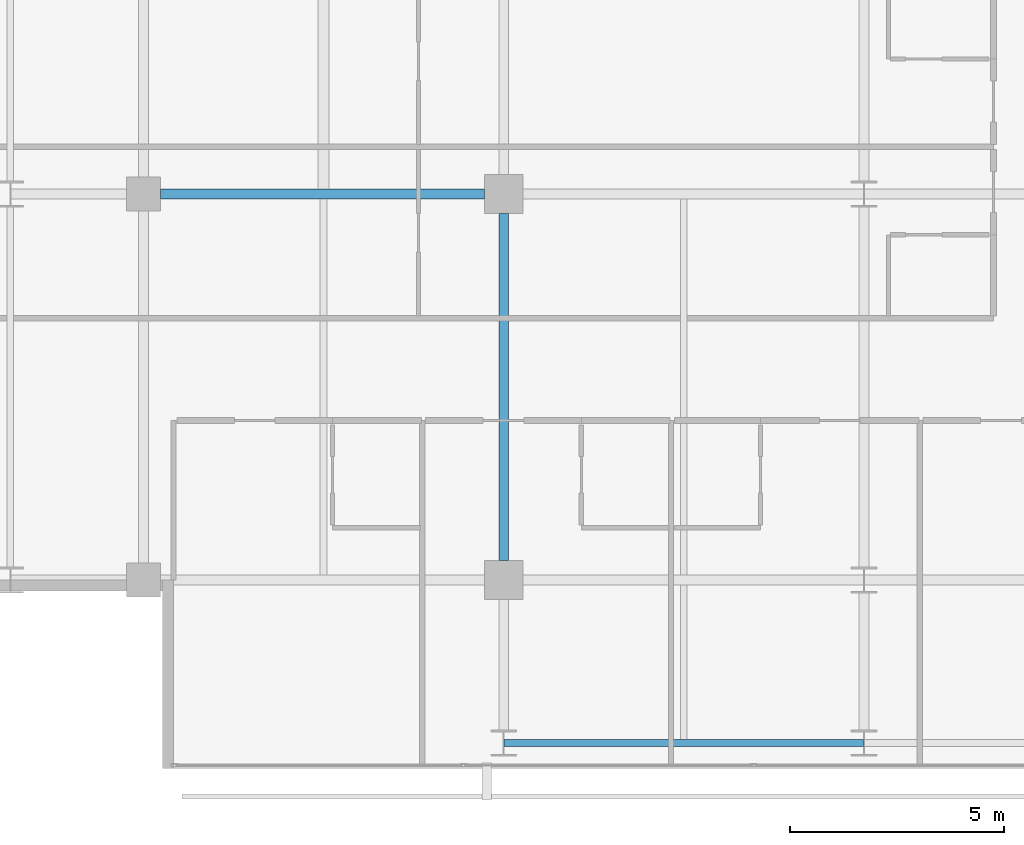
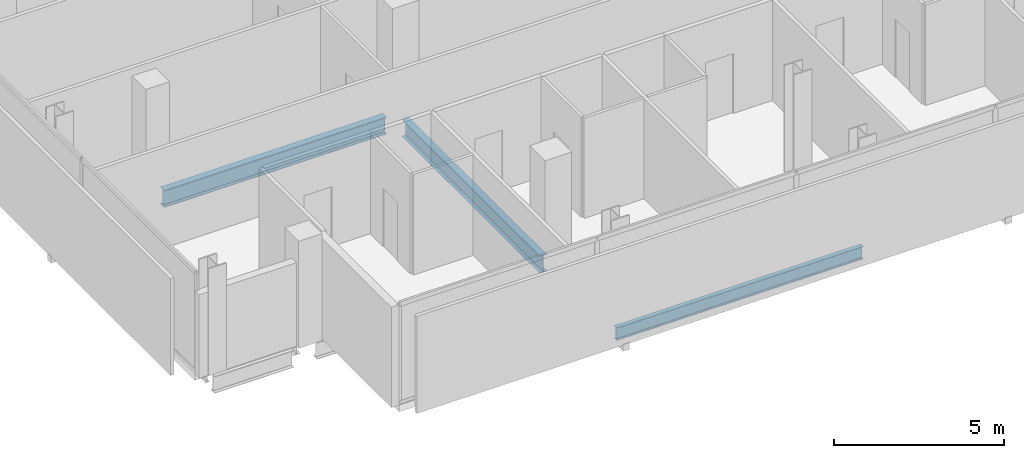
# One storey, part 5 of 34: 3 beams.
"""IFC4 building model written with IfcOpenShell, lengths in metres."""

import ifcopenshell
import ifcopenshell.guid

model = None  # the IFC model being written
_history = None  # IfcOwnerHistory: only IFC2X3 demands one
_inside = {}  # id of a spatial element -> (the spatial element, [elements in it])
_under = {}  # id of a project, library or spatial element -> (it, [spatial elements below it])
_declared = {}  # id of a project -> (the project, [libraries it declares])
_typed = {}  # id of a type object -> (the type object, [elements of that type])
_made_of = {}  # id of a material, layer set ... -> (it, [elements and type objects made of it])


def new_model(schema):
    """Start an empty IFC model of exactly this schema.

    Asked for "IFC4X3", IfcOpenShell would pick the latest addendum, in which some entities
    have other attributes; the version numbers below select the first issue.
    IFC2X3 requires an IfcOwnerHistory on every rooted entity: one is made here for all.
    """
    global model, _history
    if schema == "IFC4X3":
        model = ifcopenshell.file(schema_version=(4, 3, 0, 0))
    else:
        model = ifcopenshell.file(schema=schema)
    _inside.clear()
    _under.clear()
    _declared.clear()
    _typed.clear()
    _made_of.clear()
    _history = None
    if model.schema == "IFC2X3":
        org = make("IfcOrganization", Name="unknown")
        user = make(
            "IfcPersonAndOrganization",
            ThePerson=make("IfcPerson", FamilyName="unknown"),
            TheOrganization=org,
        )
        app = make(
            "IfcApplication",
            ApplicationDeveloper=org,
            Version="unknown",
            ApplicationFullName="unknown",
            ApplicationIdentifier="unknown",
        )
        _history = make(
            "IfcOwnerHistory",
            OwningUser=user,
            OwningApplication=app,
            ChangeAction="ADDED",
            CreationDate=0,
        )
    return model


def make(cls, **values):
    """One entity of the class cls with the attributes given. An attribute that is None is left unset."""
    return model.create_entity(
        cls, **{name: value for name, value in values.items() if value is not None}
    )


def rooted(cls, **values):
    """An entity with a GlobalId (a new one), such as an element, a storey or a relation."""
    return make(cls, GlobalId=ifcopenshell.guid.new(), OwnerHistory=_history, **values)


def si_unit(unit_type, name, prefix=None):
    """IfcSIUnit, for example si_unit("LENGTHUNIT", "METRE", prefix="MILLI")."""
    return make("IfcSIUnit", UnitType=unit_type, Prefix=prefix, Name=name)


def assignment(units):
    """IfcUnitAssignment: the units of a project."""
    return None if units is None else make("IfcUnitAssignment", Units=units)


def point(xyz):
    """IfcCartesianPoint."""
    return None if xyz is None else make("IfcCartesianPoint", Coordinates=xyz)


def direction(xyz):
    """IfcDirection."""
    return None if xyz is None else make("IfcDirection", DirectionRatios=xyz)


def frame(location, z_axis=None, x_axis=None):
    """IfcAxis2Placement3D, a coordinate frame: its origin and axes. An axis left out is left unset."""
    return make(
        "IfcAxis2Placement3D",
        Location=point(location),
        Axis=direction(z_axis),
        RefDirection=direction(x_axis),
    )


def frame_2d(location, x_axis=None):
    """IfcAxis2Placement2D, a coordinate frame in the plane: its origin and x axis."""
    return make(
        "IfcAxis2Placement2D", Location=point(location), RefDirection=direction(x_axis)
    )


def origin():
    """The frame at (0, 0, 0) with its axes left unset."""
    return frame((0.0, 0.0, 0.0))


def origin_2d():
    """The frame at (0, 0) in the plane with its x axis left unset."""
    return frame_2d((0.0, 0.0))


def place(relative_to, where):
    """IfcLocalPlacement: puts the frame where relative to a parent placement (None: the world)."""
    return make(
        "IfcLocalPlacement", PlacementRelTo=relative_to, RelativePlacement=where
    )


def context(
    kind, dimensions, precision=None, world=None, true_north=None, identifier=None
):
    """IfcGeometricRepresentationContext, for example the 3D "Model" context."""
    return make(
        "IfcGeometricRepresentationContext",
        ContextIdentifier=identifier,
        ContextType=kind,
        CoordinateSpaceDimension=dimensions,
        Precision=precision,
        WorldCoordinateSystem=world,
        TrueNorth=true_north,
    )


def subcontext(parent, identifier, kind, view, scale=None):
    """IfcGeometricRepresentationSubContext, for example "Body" below "Model"."""
    return make(
        "IfcGeometricRepresentationSubContext",
        ContextIdentifier=identifier,
        ContextType=kind,
        ParentContext=parent,
        TargetScale=scale,
        TargetView=view,
    )


def project(units=None, contexts=None):
    """IfcProject with its units and contexts."""
    return rooted(
        "IfcProject",
        Name="project",
        RepresentationContexts=contexts,
        UnitsInContext=assignment(units),
    )


def spatial(cls, under=None, at=None, **own):
    """A site, building, storey or space (cls), placed at a placement, below another one or the project."""
    s = rooted(cls, ObjectPlacement=at, **own)
    if under is not None:
        _under.setdefault(under.id(), (under, []))[1].append(s)
    return s


def profile(cls, at=None, kind="AREA", **sizes):
    """A parametric profile (cls). Its sizes go by their IFC names, for example OverallWidth=200.0."""
    return make(cls, ProfileType=kind, Position=at, **sizes)


def i_section(**sizes):
    """IfcIShapeProfileDef."""
    return profile("IfcIShapeProfileDef", **sizes)


def extrude(swept, where, along, depth):
    """IfcExtrudedAreaSolid: the profile swept, set in the frame where, extruded along a direction by depth."""
    return make(
        "IfcExtrudedAreaSolid",
        SweptArea=swept,
        Position=where,
        ExtrudedDirection=direction(along),
        Depth=depth,
    )


def shape(context_of_items, identifier, shape_type, items):
    """IfcShapeRepresentation: the items that make up one representation, for example the "Body"."""
    return make(
        "IfcShapeRepresentation",
        ContextOfItems=context_of_items,
        RepresentationIdentifier=identifier,
        RepresentationType=shape_type,
        Items=items,
    )


def material(Name=None, Category=None):
    """IfcMaterial."""
    return make("IfcMaterial", Name=Name, Category=Category)


def material_profile(
    of_material, cross_section, Name=None, Category=None, Priority=None
):
    """IfcMaterialProfile: a cross section and its material."""
    return make(
        "IfcMaterialProfile",
        Name=Name,
        Material=of_material,
        Profile=cross_section,
        Priority=Priority,
        Category=Category,
    )


def profile_set(profiles, Name=None, composite=None):
    """IfcMaterialProfileSet."""
    return make(
        "IfcMaterialProfileSet",
        Name=Name,
        MaterialProfiles=profiles,
        CompositeProfile=composite,
    )


def made_of(thing, what):
    """Note that an element or type object is made of a material, layer set ...; save() writes the relation."""
    if what is not None:
        _made_of.setdefault(what.id(), (what, []))[1].append(thing)
    return thing


def type_object(cls, material=None, **own):
    """A type object (cls), such as IfcWallType, which elements share."""
    return made_of(rooted(cls, **own), material)


def element(
    cls,
    number,
    at=None,
    inside=None,
    cuts=None,
    type_object=None,
    material=None,
    context=None,
    identifier="Body",
    shape_type=None,
    held_by="IfcProductDefinitionShape",
    body=None,
    shapes=None,
    **own,
):
    """One element of the class cls, such as IfcWall. Its Tag is "e" and its number.

    at: its placement. inside: the storey or other place that contains it. cuts: it is an
    opening in that element (IfcRelVoidsElement). A single representation is given by context,
    identifier, shape_type and body (its items); several are given by shapes. held_by: the class
    of the entity that holds the representations. save() writes the other relations.
    """
    e = rooted(cls, Tag="e%d" % number, ObjectPlacement=at, **own)
    if body is not None:
        shapes = [shape(context, identifier, shape_type, body)]
    if shapes is not None:
        e.Representation = make(held_by, Representations=shapes)
    if inside is not None:
        _inside.setdefault(inside.id(), (inside, []))[1].append(e)
    if cuts is not None:
        rooted(
            "IfcRelVoidsElement", RelatingBuildingElement=cuts, RelatedOpeningElement=e
        )
    if type_object is not None:
        _typed.setdefault(type_object.id(), (type_object, []))[1].append(e)
    return made_of(e, material)


def aggregate(whole, parts):
    """IfcRelAggregates: a whole, such as a stair, and the parts it consists of."""
    return rooted("IfcRelAggregates", RelatingObject=whole, RelatedObjects=parts)


def save(model, path):
    """Write the relations noted so far, then the file.

    IfcRelAggregates (storeys below a building ...), IfcRelContainedInSpatialStructure (elements
    in a storey), IfcRelDefinesByType, IfcRelAssociatesMaterial and IfcRelDeclares: one each for
    every whole, place, type object, material and project.
    """
    for whole, parts in _under.values():
        aggregate(whole, parts)
    for where, things in _inside.values():
        rooted(
            "IfcRelContainedInSpatialStructure",
            RelatedElements=things,
            RelatingStructure=where,
        )
    for kind, things in _typed.values():
        rooted("IfcRelDefinesByType", RelatedObjects=things, RelatingType=kind)
    for what, things in _made_of.values():
        rooted("IfcRelAssociatesMaterial", RelatedObjects=things, RelatingMaterial=what)
    for by, libraries in _declared.values():
        rooted("IfcRelDeclares", RelatingContext=by, RelatedDefinitions=libraries)
    model.write(path)


model = new_model("IFC4")

# Units and contexts
model_context = context("Model", 3, precision=1e-05, world=origin(), true_north=direction((0.0, 1.0)))
body_context = subcontext(model_context, "Body", "Model", "MODEL_VIEW")
ifc_project = project(units=[si_unit("LENGTHUNIT", "METRE"), si_unit("AREAUNIT", "SQUARE_METRE"), si_unit("VOLUMEUNIT", "CUBIC_METRE"), si_unit("PLANEANGLEUNIT", "RADIAN"), si_unit("MASSUNIT", "GRAM", prefix="KILO")], contexts=[model_context])

# Site, building, storey
site_placement = place(None, origin())
site = spatial("IfcSite", under=ifc_project, at=site_placement, CompositionType="ELEMENT")
building_placement = place(site_placement, origin())
building = spatial("IfcBuilding", under=site, at=building_placement, Name="Maruvema Waterfront Hotel and Observation Tower", CompositionType="ELEMENT")
storey_placement = place(building_placement, frame((0.0, 0.0, 131.25)))
storey = spatial("IfcBuildingStorey", under=building, at=storey_placement, Name="L31", CompositionType="ELEMENT", Elevation=131.25)

# Beams
ifc_material_1 = material(Name="Steel ASTM A572 Grade 50", Category="steel")
ifc_material_profile_1 = material_profile(ifc_material_1, i_section(OverallWidth=0.153076171875, OverallDepth=0.455078125, WebThickness=0.008056640625, FlangeThickness=0.01318359375, FilletRadius=0.014892578125, at=origin_2d()), Name="W460x60.0")
ifc_profile_set_1 = profile_set([ifc_material_profile_1], Name="Steel ASTM A572 Grade 50")
beam_type_1 = type_object("IfcBeamType", Name="Perimeter Spandrel Beam W460x60.0", PredefinedType="SPANDREL", material=ifc_profile_set_1)
beam_1_placement = place(storey_placement, frame((25.21240234375, 5.199951171875, -0.467529296875), z_axis=(1.0, 0.0, 0.0), x_axis=(0.0, 1.0, 0.0)))
element("IfcBeam", 1, at=beam_1_placement, inside=storey, type_object=beam_type_1, Name="L31 Floor Girder EW-01", PredefinedType="SPANDREL", context=body_context, shape_type="SweptSolid", body=[
    extrude(i_section(OverallWidth=0.153076171875, OverallDepth=0.455078125, WebThickness=0.008056640625, FlangeThickness=0.01318359375, FilletRadius=0.014892578125, at=origin_2d()), origin(), (0.0, 0.0, 1.0), 8.375),
])
ifc_material_2 = material(Name="Steel ASTM A572 Grade 50", Category="steel")
ifc_material_profile_2 = material_profile(ifc_material_2, i_section(OverallWidth=0.22900390625, OverallDepth=0.612060546875, WebThickness=0.011962890625, FlangeThickness=0.01953125, FilletRadius=0.01806640625, at=origin_2d()), Name="W610x125.0")
ifc_profile_set_2 = profile_set([ifc_material_profile_2], Name="Steel ASTM A572 Grade 50")
beam_type_2 = type_object("IfcBeamType", Name="Primary Floor Girder W610x125.0", PredefinedType="BEAM", material=ifc_profile_set_2)
beam_2_placement = place(storey_placement, frame((17.199951171875, 18.0, -0.5458984375), z_axis=(1.0, 0.0, 0.0), x_axis=(0.0, 1.0, 0.0)))
element("IfcBeam", 2, at=beam_2_placement, inside=storey, type_object=beam_type_2, Name="L31 Floor Girder EW-12", PredefinedType="BEAM", context=body_context, shape_type="SweptSolid", body=[
    extrude(i_section(OverallWidth=0.22900390625, OverallDepth=0.612060546875, WebThickness=0.011962890625, FlangeThickness=0.01953125, FilletRadius=0.01806640625, at=origin_2d()), origin(), (0.0, 0.0, 1.0), 7.550048828125),
])
beam_3_placement = place(storey_placement, frame((25.199951171875, 9.449951171875, -0.5458984375), z_axis=(0.0, 1.0, 0.0), x_axis=(-1.0, 0.0, 0.0)))
element("IfcBeam", 3, at=beam_3_placement, inside=storey, type_object=beam_type_2, Name="L31 Floor Girder NS-10", PredefinedType="BEAM", context=body_context, shape_type="SweptSolid", body=[
    extrude(i_section(OverallWidth=0.22900390625, OverallDepth=0.612060546875, WebThickness=0.011962890625, FlangeThickness=0.01953125, FilletRadius=0.01806640625, at=origin_2d()), origin(), (0.0, 0.0, 1.0), 8.10009765625),
])

save(model, "model.ifc")
